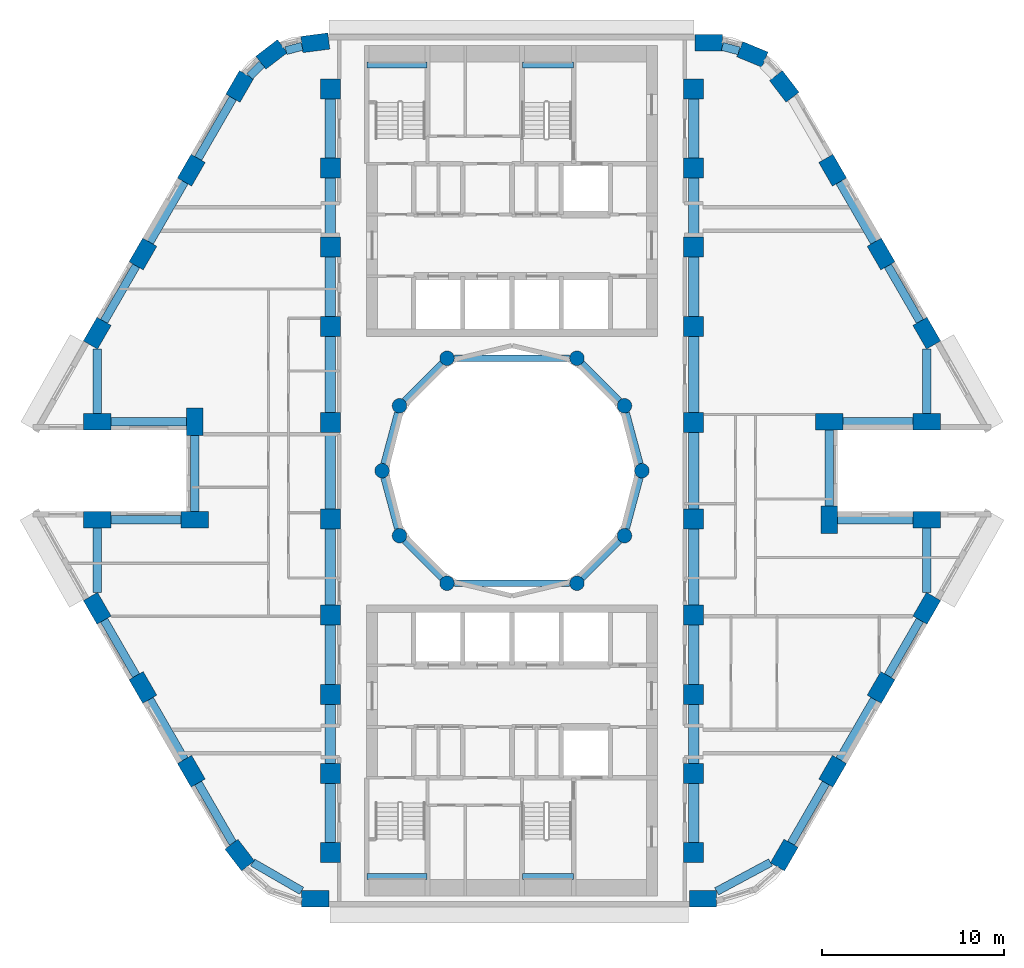
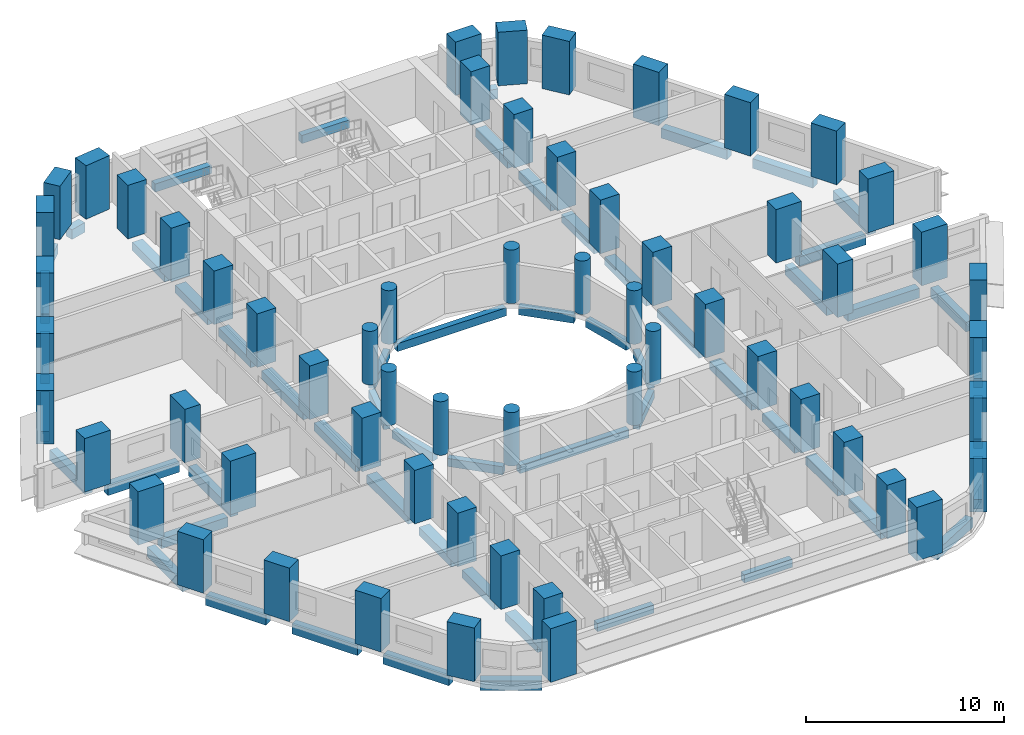
# One storey, part 1 of 12: 60 columns, 58 beams.
"""IFC4 building model written with IfcOpenShell, lengths in metres."""

from ifc_helpers import new_model, si_unit, direction, frame, origin, origin_2d, place, context, subcontext, project, spatial, rectangle, circle, extrude, material, material_profile, profile_set, type_object, element, save


model = new_model("IFC4")

# Units and contexts
model_context = context("Model", 3, precision=1e-05, world=origin(), true_north=direction((0.0, 1.0)))
body_context = subcontext(model_context, "Body", "Model", "MODEL_VIEW")
ifc_project = project(units=[si_unit("LENGTHUNIT", "METRE"), si_unit("AREAUNIT", "SQUARE_METRE"), si_unit("VOLUMEUNIT", "CUBIC_METRE"), si_unit("PLANEANGLEUNIT", "RADIAN"), si_unit("MASSUNIT", "GRAM", prefix="KILO")], contexts=[model_context])

# Site, building, storey
site_placement = place(None, origin())
site = spatial("IfcSite", under=ifc_project, at=site_placement, CompositionType="ELEMENT")
building_placement = place(site_placement, origin())
building = spatial("IfcBuilding", under=site, at=building_placement, Name="Nakaniwa Court", CompositionType="ELEMENT")
storey_placement = place(building_placement, frame((0.0, 0.0, 54.60009765625)))
storey = spatial("IfcBuildingStorey", under=building, at=storey_placement, Name="L14", CompositionType="ELEMENT", Elevation=54.60009765625)

# Columns
ifc_material_1 = material(Name="Concrete C100/115", Category="concrete")
ifc_material_profile_1 = material_profile(ifc_material_1, rectangle(XDim=1.10009765625, YDim=1.10009765625, at=origin_2d()), Name="Concrete C100/115 RC 1100x1100 spine column")
ifc_profile_set_1 = profile_set([ifc_material_profile_1], Name="Concrete C100/115")
column_type_1 = type_object("IfcColumnType", Name="Concrete C100/115 RC 1100x1100 spine column", PredefinedType="COLUMN", material=ifc_profile_set_1)
for number, where, z_axis, x_axis, name in (
    (1, (90.0, 59.0, 0.0), (0.0, 0.0, 1.0), (0.0, 1.0, 0.0), "COLUMN CS-01"),
    (2, (90.0, 63.35009765625, 0.0), (0.0, 0.0, 1.0), (0.0, 1.0, 0.0), "COLUMN CS-02"),
    (3, (90.0, 67.699951171875, 0.0), (0.0, 0.0, 1.0), (0.0, 1.0, 0.0), "COLUMN CS-03"),
    (4, (90.0, 72.050048828125, 0.0), (0.0, 0.0, 1.0), (0.0, 1.0, 0.0), "COLUMN CS-04"),
    (5, (90.0, 77.35009765625, 0.0), (0.0, 0.0, 1.0), (0.0, 1.0, 0.0), "COLUMN CS-05"),
    (6, (90.0, 82.64990234375, 0.0), (0.0, 0.0, 1.0), (0.0, 1.0, 0.0), "COLUMN CS-06"),
    (7, (90.0, 87.949951171875, 0.0), (0.0, 0.0, 1.0), (0.0, 1.0, 0.0), "COLUMN CS-07"),
    (8, (90.0, 92.300048828125, 0.0), (0.0, 0.0, 1.0), (0.0, 1.0, 0.0), "COLUMN CS-08"),
    (9, (90.0, 96.64990234375, 0.0), (0.0, 0.0, 1.0), (0.0, 1.0, 0.0), "COLUMN CS-09"),
    (10, (90.0, 101.0, 0.0), (0.0, 0.0, 1.0), (0.0, 1.0, 0.0), "COLUMN CS-10"),
    (11, (70.0, 101.0, 0.0), (0.0, 0.0, 1.0), (0.0, -1.0, 0.0), "COLUMN CS-11"),
    (12, (70.0, 96.64990234375, 0.0), (0.0, 0.0, 1.0), (0.0, -1.0, 0.0), "COLUMN CS-12"),
    (13, (70.0, 92.300048828125, 0.0), (0.0, 0.0, 1.0), (0.0, -1.0, 0.0), "COLUMN CS-13"),
    (14, (70.0, 87.949951171875, 0.0), (0.0, 0.0, 1.0), (0.0, -1.0, 0.0), "COLUMN CS-14"),
    (15, (70.0, 82.64990234375, 0.0), (0.0, 0.0, 1.0), (0.0, -1.0, 0.0), "COLUMN CS-15"),
    (16, (70.0, 77.35009765625, 0.0), (0.0, 0.0, 1.0), (0.0, -1.0, 0.0), "COLUMN CS-16"),
    (17, (70.0, 72.050048828125, 0.0), (0.0, 0.0, 1.0), (0.0, -1.0, 0.0), "COLUMN CS-17"),
    (18, (70.0, 67.699951171875, 0.0), (0.0, 0.0, 1.0), (0.0, -1.0, 0.0), "COLUMN CS-18"),
    (19, (70.0, 63.35009765625, 0.0), (0.0, 0.0, 1.0), (0.0, -1.0, 0.0), "COLUMN CS-19"),
    (20, (70.0, 59.0, 0.0), (0.0, 0.0, 1.0), (0.0, -1.0, 0.0), "COLUMN CS-20"),
):
    element("IfcColumn", number, at=place(storey_placement, frame(where, z_axis=z_axis, x_axis=x_axis)), inside=storey, type_object=column_type_1, Name=name, PredefinedType="COLUMN", context=body_context, shape_type="SweptSolid", body=[
        extrude(rectangle(XDim=1.10009765625, YDim=1.10009765625, at=origin_2d()), origin(), (0.0, 0.0, 1.0), 3.2998046875),
    ])
ifc_material_profile_2 = material_profile(ifc_material_1, rectangle(XDim=1.5, YDim=0.89990234375, at=origin_2d()), Name="Concrete C100/115 RC 1500x900 perimeter column")
ifc_profile_set_2 = profile_set([ifc_material_profile_2], Name="Concrete C100/115")
column_type_2 = type_object("IfcColumnType", Name="Concrete C100/115 RC 1500x900 perimeter column", PredefinedType="COLUMN", material=ifc_profile_set_2)
for number, where, z_axis, x_axis, name in (
    (21, (69.17529296875, 103.550048828125, 0.0), (0.0, 0.0, 1.0), (-0.991442583111, -0.130543496177, 0.0), "COLUMN CO-01"),
    (22, (66.772705078125, 102.91015625, 0.0), (0.0, 0.0, 1.0), (-0.793363965062, -0.608747582288, 0.0), "COLUMN CO-02"),
    (23, (65.017578125, 101.1494140625, 0.0), (0.0, 0.0, 1.0), (-0.5, -0.866025403784, 0.0), "COLUMN CO-03"),
    (24, (62.3544921875, 96.537109375, 0.0), (0.0, 0.0, 1.0), (-0.5, -0.866025403784, 0.0), "COLUMN CO-04"),
    (25, (59.691650390625, 91.9248046875, 0.0), (0.0, 0.0, 1.0), (-0.5, -0.866025403784, 0.0), "COLUMN CO-05"),
    (26, (57.177001953125, 87.569580078125, 0.0), (0.0, 0.0, 1.0), (-0.5, -0.866025403784, 0.0), "COLUMN CO-06"),
    (27, (57.177001953125, 82.699951171875, 0.0), (0.0, 0.0, 1.0), (1.0, 0.0, 0.0), "COLUMN CO-08"),
    (28, (62.54150390625, 82.699951171875, 0.0), (0.0, 0.0, 1.0), (0.0, -1.0, 0.0), "COLUMN CO-09"),
    (29, (62.54150390625, 77.300048828125, 0.0), (0.0, 0.0, 1.0), (-1.0, 0.0, 0.0), "COLUMN CO-10"),
    (30, (57.177001953125, 77.300048828125, 0.0), (0.0, 0.0, 1.0), (-1.0, 0.0, 0.0), "COLUMN CO-11"),
    (31, (57.177001953125, 72.430419921875, 0.0), (0.0, 0.0, 1.0), (0.5, -0.866025403784, 0.0), "COLUMN CO-13"),
    (32, (59.691650390625, 68.0751953125, 0.0), (0.0, 0.0, 1.0), (0.5, -0.866025403784, 0.0), "COLUMN CO-14"),
    (33, (62.3544921875, 63.462890625, 0.0), (0.0, 0.0, 1.0), (0.5, -0.866025403784, 0.0), "COLUMN CO-15"),
    (34, (65.017578125, 58.8505859375, 0.0), (0.0, 0.0, 1.0), (0.608761429009, -0.793353340291, 0.0), "COLUMN CO-16"),
    (35, (69.17529296875, 56.449951171875, 0.0), (0.0, 0.0, 1.0), (1.0, 0.0, 0.0), "COLUMN CO-17"),
    (36, (90.507080078125, 56.449951171875, 0.0), (0.0, 0.0, 1.0), (1.0, 0.0, 0.0), "COLUMN CO-21"),
    (37, (94.982421875, 58.8505859375, 0.0), (0.0, 0.0, 1.0), (0.5, 0.866025403784, 0.0), "COLUMN CO-22"),
    (38, (97.6455078125, 63.462890625, 0.0), (0.0, 0.0, 1.0), (0.5, 0.866025403784, 0.0), "COLUMN CO-23"),
    (39, (100.308349609375, 68.0751953125, 0.0), (0.0, 0.0, 1.0), (0.5, 0.866025403784, 0.0), "COLUMN CO-24"),
    (40, (102.822998046875, 72.430419921875, 0.0), (0.0, 0.0, 1.0), (0.5, 0.866025403784, 0.0), "COLUMN CO-25"),
    (41, (102.822998046875, 77.300048828125, 0.0), (0.0, 0.0, 1.0), (-1.0, 0.0, 0.0), "COLUMN CO-27"),
    (42, (97.45849609375, 77.300048828125, 0.0), (0.0, 0.0, 1.0), (0.0, 1.0, 0.0), "COLUMN CO-28"),
    (43, (97.45849609375, 82.699951171875, 0.0), (0.0, 0.0, 1.0), (1.0, 0.0, 0.0), "COLUMN CO-29"),
    (44, (102.822998046875, 82.699951171875, 0.0), (0.0, 0.0, 1.0), (1.0, 0.0, 0.0), "COLUMN CO-30"),
    (45, (102.822998046875, 87.569580078125, 0.0), (0.0, 0.0, 1.0), (-0.5, 0.866025403784, 0.0), "COLUMN CO-32"),
    (46, (100.308349609375, 91.9248046875, 0.0), (0.0, 0.0, 1.0), (-0.5, 0.866025403784, 0.0), "COLUMN CO-33"),
    (47, (97.6455078125, 96.537109375, 0.0), (0.0, 0.0, 1.0), (-0.5, 0.866025403784, 0.0), "COLUMN CO-34"),
    (48, (94.982421875, 101.1494140625, 0.0), (0.0, 0.0, 1.0), (-0.608761429009, 0.793353340291, 0.0), "COLUMN CO-35"),
    (49, (93.227294921875, 102.91015625, 0.0), (0.0, 0.0, 1.0), (-0.923879532511, 0.382683432365, 0.0), "COLUMN CO-36"),
    (50, (90.82470703125, 103.550048828125, 0.0), (0.0, 0.0, 1.0), (-1.0, 0.0, 0.0), "COLUMN CO-37"),
):
    element("IfcColumn", number, at=place(storey_placement, frame(where, z_axis=z_axis, x_axis=x_axis)), inside=storey, type_object=column_type_2, Name=name, PredefinedType="COLUMN", context=body_context, shape_type="SweptSolid", body=[
        extrude(rectangle(XDim=1.5, YDim=0.89990234375, at=origin_2d()), origin(), (0.0, 0.0, 1.0), 3.2998046875),
    ])
ifc_material_profile_3 = material_profile(ifc_material_1, circle(Radius=0.39990234375, at=origin_2d()), Name="Concrete C100/115 RC D800 inner ring column")
ifc_profile_set_3 = profile_set([ifc_material_profile_3], Name="Concrete C100/115")
column_type_3 = type_object("IfcColumnType", Name="Concrete C100/115 RC D800 inner ring column", PredefinedType="COLUMN", material=ifc_profile_set_3)
for number, where, z_axis, x_axis, name in (
    (51, (87.14990234375, 80.0, 0.0), (0.0, 0.0, 1.0), (0.0, 1.0, 0.0), "COLUMN CI-01"),
    (52, (86.192138671875, 83.574951171875, 0.0), (0.0, 0.0, 1.0), (-0.5, 0.866025403784, 0.0), "COLUMN CI-02"),
    (53, (83.574951171875, 86.192138671875, 0.0), (0.0, 0.0, 1.0), (-0.866025403784, 0.5, 0.0), "COLUMN CI-03"),
    (54, (76.425048828125, 86.192138671875, 0.0), (0.0, 0.0, 1.0), (-0.866025403784, -0.5, 0.0), "COLUMN CI-05"),
    (55, (73.807861328125, 83.574951171875, 0.0), (0.0, 0.0, 1.0), (-0.5, -0.866025403784, 0.0), "COLUMN CI-06"),
    (56, (72.85009765625, 80.0, 0.0), (0.0, 0.0, 1.0), (0.0, -1.0, 0.0), "COLUMN CI-07"),
    (57, (73.807861328125, 76.425048828125, 0.0), (0.0, 0.0, 1.0), (0.5, -0.866025403784, 0.0), "COLUMN CI-08"),
    (58, (76.425048828125, 73.807861328125, 0.0), (0.0, 0.0, 1.0), (0.866025403784, -0.5, 0.0), "COLUMN CI-09"),
    (59, (83.574951171875, 73.807861328125, 0.0), (0.0, 0.0, 1.0), (0.866025403784, 0.5, 0.0), "COLUMN CI-11"),
    (60, (86.192138671875, 76.425048828125, 0.0), (0.0, 0.0, 1.0), (0.5, 0.866025403784, 0.0), "COLUMN CI-12"),
):
    element("IfcColumn", number, at=place(storey_placement, frame(where, z_axis=z_axis, x_axis=x_axis)), inside=storey, type_object=column_type_3, Name=name, PredefinedType="COLUMN", context=body_context, shape_type="SweptSolid", body=[
        extrude(circle(Radius=0.39990234375, at=origin_2d()), origin(), (0.0, 0.0, 1.0), 3.2998046875),
    ])

# Beams
ifc_material_profile_4 = material_profile(ifc_material_1, rectangle(XDim=0.35009765625, YDim=0.5, at=origin_2d()), Name="Concrete C100/115 RC 350x500 ring beam")
ifc_profile_set_4 = profile_set([ifc_material_profile_4], Name="Concrete C100/115")
beam_type_1 = type_object("IfcBeamType", Name="Concrete C100/115 RC 350x500 ring beam", PredefinedType="BEAM", material=ifc_profile_set_4)
beam_1_placement = place(storey_placement, frame((87.04638671875, 80.386474609375, -0.525146484375), z_axis=(-0.258778150207, 0.965936783115, 0.0), x_axis=(-0.965936783115, -0.258778150207, 0.0)))
element("IfcBeam", 61, at=beam_1_placement, inside=storey, type_object=beam_type_1, Name="RING BEAM", PredefinedType="BEAM", context=body_context, shape_type="SweptSolid", body=[
    extrude(rectangle(XDim=0.35009765625, YDim=0.5, at=origin_2d()), origin(), (0.0, 0.0, 1.0), 2.901123046875),
])
beam_2_placement = place(storey_placement, frame((85.9091796875, 83.85791015625, -0.525146484375), z_axis=(-0.707106781187, 0.707106781187, 0.0), x_axis=(-0.707106781187, -0.707106781187, 0.0)))
element("IfcBeam", 62, at=beam_2_placement, inside=storey, type_object=beam_type_1, Name="RING BEAM", PredefinedType="BEAM", context=body_context, shape_type="SweptSolid", body=[
    extrude(rectangle(XDim=0.35009765625, YDim=0.5, at=origin_2d()), origin(), (0.0, 0.0, 1.0), 2.90087890625),
])
beam_3_placement = place(storey_placement, frame((83.175048828125, 86.192138671875, -0.525146484375), z_axis=(-1.0, 0.0, 0.0), x_axis=(0.0, -1.0, 0.0)))
element("IfcBeam", 63, at=beam_3_placement, inside=storey, type_object=beam_type_1, Name="RING BEAM", PredefinedType="BEAM", context=body_context, shape_type="SweptSolid", body=[
    extrude(rectangle(XDim=0.35009765625, YDim=0.5, at=origin_2d()), origin(), (0.0, 0.0, 1.0), 6.35009765625),
])
beam_4_placement = place(storey_placement, frame((76.14208984375, 85.9091796875, -0.525146484375), z_axis=(-0.707106781187, -0.707106781187, 0.0), x_axis=(0.707106781187, -0.707106781187, 0.0)))
element("IfcBeam", 64, at=beam_4_placement, inside=storey, type_object=beam_type_1, Name="RING BEAM", PredefinedType="BEAM", context=body_context, shape_type="SweptSolid", body=[
    extrude(rectangle(XDim=0.35009765625, YDim=0.5, at=origin_2d()), origin(), (0.0, 0.0, 1.0), 2.90087890625),
])
for number, where, z_axis, x_axis, name in (
    (65, (73.704345703125, 83.188720703125, -0.525146484375), (-0.258778150207, -0.965936783115, 0.0), (0.965936783115, -0.258778150207, 0.0), "RING BEAM"),
    (66, (72.95361328125, 79.613525390625, -0.525146484375), (0.258778150207, -0.965936783115, 0.0), (0.965936783115, 0.258778150207, 0.0), "RING BEAM"),
):
    element("IfcBeam", number, at=place(storey_placement, frame(where, z_axis=z_axis, x_axis=x_axis)), inside=storey, type_object=beam_type_1, Name=name, PredefinedType="BEAM", context=body_context, shape_type="SweptSolid", body=[
        extrude(rectangle(XDim=0.35009765625, YDim=0.5, at=origin_2d()), origin(), (0.0, 0.0, 1.0), 2.901123046875),
    ])
beam_5_placement = place(storey_placement, frame((74.0908203125, 76.14208984375, -0.525146484375), z_axis=(0.707106781187, -0.707106781187, 0.0), x_axis=(0.707106781187, 0.707106781187, 0.0)))
element("IfcBeam", 67, at=beam_5_placement, inside=storey, type_object=beam_type_1, Name="RING BEAM", PredefinedType="BEAM", context=body_context, shape_type="SweptSolid", body=[
    extrude(rectangle(XDim=0.35009765625, YDim=0.5, at=origin_2d()), origin(), (0.0, 0.0, 1.0), 2.90087890625),
])
beam_6_placement = place(storey_placement, frame((76.824951171875, 73.807861328125, -0.525146484375), z_axis=(1.0, 0.0, 0.0), x_axis=(0.0, 1.0, 0.0)))
element("IfcBeam", 68, at=beam_6_placement, inside=storey, type_object=beam_type_1, Name="RING BEAM", PredefinedType="BEAM", context=body_context, shape_type="SweptSolid", body=[
    extrude(rectangle(XDim=0.35009765625, YDim=0.5, at=origin_2d()), origin(), (0.0, 0.0, 1.0), 6.35009765625),
])
beam_7_placement = place(storey_placement, frame((83.85791015625, 74.0908203125, -0.525146484375), z_axis=(0.707106781187, 0.707106781187, 0.0), x_axis=(-0.707106781187, 0.707106781187, 0.0)))
element("IfcBeam", 69, at=beam_7_placement, inside=storey, type_object=beam_type_1, Name="RING BEAM", PredefinedType="BEAM", context=body_context, shape_type="SweptSolid", body=[
    extrude(rectangle(XDim=0.35009765625, YDim=0.5, at=origin_2d()), origin(), (0.0, 0.0, 1.0), 2.90087890625),
])
beam_8_placement = place(storey_placement, frame((86.295654296875, 76.811279296875, -0.525146484375), z_axis=(0.258778150207, 0.965936783115, 0.0), x_axis=(-0.965936783115, 0.258778150207, 0.0)))
element("IfcBeam", 70, at=beam_8_placement, inside=storey, type_object=beam_type_1, Name="RING BEAM", PredefinedType="BEAM", context=body_context, shape_type="SweptSolid", body=[
    extrude(rectangle(XDim=0.35009765625, YDim=0.5, at=origin_2d()), origin(), (0.0, 0.0, 1.0), 2.901123046875),
])
ifc_material_profile_5 = material_profile(ifc_material_1, rectangle(XDim=0.449951171875, YDim=0.60009765625, at=origin_2d()), Name="Concrete C100/115 RC 450x600 spandrel beam")
ifc_profile_set_5 = profile_set([ifc_material_profile_5], Name="Concrete C100/115")
beam_type_2 = type_object("IfcBeamType", Name="Concrete C100/115 RC 450x600 spandrel beam", PredefinedType="BEAM", material=ifc_profile_set_5)
beam_9_placement = place(storey_placement, frame((68.444580078125, 103.35546875, -0.5751953125), z_axis=(-0.966287893493, -0.25746399144, 0.0), x_axis=(0.25746399144, -0.966287893493, 0.0)))
element("IfcBeam", 71, at=beam_9_placement, inside=storey, type_object=beam_type_2, Name="SPANDREL BEAM", PredefinedType="BEAM", context=body_context, shape_type="SweptSolid", body=[
    extrude(rectangle(XDim=0.449951171875, YDim=0.60009765625, at=origin_2d()), origin(), (0.0, 0.0, 1.0), 0.91796875),
])
beam_10_placement = place(storey_placement, frame((66.238525390625, 102.374267578125, -0.5751953125), z_axis=(-0.706081618928, -0.708130459317, 0.0), x_axis=(0.708130459317, -0.706081618928, 0.0)))
element("IfcBeam", 72, at=beam_10_placement, inside=storey, type_object=beam_type_2, Name="SPANDREL BEAM", PredefinedType="BEAM", context=body_context, shape_type="SweptSolid", body=[
    extrude(rectangle(XDim=0.449951171875, YDim=0.60009765625, at=origin_2d()), origin(), (0.0, 0.0, 1.0), 0.953369140625),
])
beam_11_placement = place(storey_placement, frame((64.642578125, 100.5, -0.5751953125), z_axis=(-0.500009674092, -0.866019818373, 0.0), x_axis=(0.866019818373, -0.500009674092, 0.0)))
element("IfcBeam", 73, at=beam_11_placement, inside=storey, type_object=beam_type_2, Name="SPANDREL BEAM", PredefinedType="BEAM", context=body_context, shape_type="SweptSolid", body=[
    extrude(rectangle(XDim=0.449951171875, YDim=0.60009765625, at=origin_2d()), origin(), (0.0, 0.0, 1.0), 3.826171875),
])
beam_12_placement = place(storey_placement, frame((61.9794921875, 95.8876953125, -0.5751953125), z_axis=(-0.499961815444, -0.866047448526, 0.0), x_axis=(0.866047448526, -0.499961815444, 0.0)))
element("IfcBeam", 74, at=beam_12_placement, inside=storey, type_object=beam_type_2, Name="SPANDREL BEAM", PredefinedType="BEAM", context=body_context, shape_type="SweptSolid", body=[
    extrude(rectangle(XDim=0.449951171875, YDim=0.60009765625, at=origin_2d()), origin(), (0.0, 0.0, 1.0), 3.825927734375),
])
beam_13_placement = place(storey_placement, frame((59.316650390625, 91.275146484375, -0.5751953125), z_axis=(-0.500067800301, -0.865986255723, 0.0), x_axis=(0.865986255723, -0.500067800301, 0.0)))
element("IfcBeam", 75, at=beam_13_placement, inside=storey, type_object=beam_type_2, Name="SPANDREL BEAM", PredefinedType="BEAM", context=body_context, shape_type="SweptSolid", body=[
    extrude(rectangle(XDim=0.449951171875, YDim=0.60009765625, at=origin_2d()), origin(), (0.0, 0.0, 1.0), 3.52880859375),
])
beam_14_placement = place(storey_placement, frame((57.177001953125, 86.70361328125, -0.5751953125), z_axis=(0.0, -1.0, 0.0), x_axis=(1.0, 0.0, 0.0)))
element("IfcBeam", 76, at=beam_14_placement, inside=storey, type_object=beam_type_2, Name="SPANDREL BEAM", PredefinedType="BEAM", context=body_context, shape_type="SweptSolid", body=[
    extrude(rectangle(XDim=0.449951171875, YDim=0.60009765625, at=origin_2d()), origin(), (0.0, 0.0, 1.0), 3.5537109375),
])
beam_15_placement = place(storey_placement, frame((57.927001953125, 82.699951171875, -0.5751953125), z_axis=(1.0, 0.0, 0.0), x_axis=(0.0, 1.0, 0.0)))
element("IfcBeam", 77, at=beam_15_placement, inside=storey, type_object=beam_type_2, Name="SPANDREL BEAM", PredefinedType="BEAM", context=body_context, shape_type="SweptSolid", body=[
    extrude(rectangle(XDim=0.449951171875, YDim=0.60009765625, at=origin_2d()), origin(), (0.0, 0.0, 1.0), 4.16455078125),
])
beam_16_placement = place(storey_placement, frame((62.54150390625, 81.949951171875, -0.5751953125), z_axis=(0.0, -1.0, 0.0), x_axis=(1.0, 0.0, 0.0)))
element("IfcBeam", 78, at=beam_16_placement, inside=storey, type_object=beam_type_2, Name="SPANDREL BEAM", PredefinedType="BEAM", context=body_context, shape_type="SweptSolid", body=[
    extrude(rectangle(XDim=0.449951171875, YDim=0.60009765625, at=origin_2d()), origin(), (0.0, 0.0, 1.0), 4.199951171875),
])
beam_17_placement = place(storey_placement, frame((61.79150390625, 77.300048828125, -0.5751953125), z_axis=(-1.0, 0.0, 0.0), x_axis=(0.0, -1.0, 0.0)))
element("IfcBeam", 79, at=beam_17_placement, inside=storey, type_object=beam_type_2, Name="SPANDREL BEAM", PredefinedType="BEAM", context=body_context, shape_type="SweptSolid", body=[
    extrude(rectangle(XDim=0.449951171875, YDim=0.60009765625, at=origin_2d()), origin(), (0.0, 0.0, 1.0), 3.864501953125),
])
beam_18_placement = place(storey_placement, frame((57.177001953125, 76.85009765625, -0.5751953125), z_axis=(0.0, -1.0, 0.0), x_axis=(1.0, 0.0, 0.0)))
element("IfcBeam", 80, at=beam_18_placement, inside=storey, type_object=beam_type_2, Name="SPANDREL BEAM", PredefinedType="BEAM", context=body_context, shape_type="SweptSolid", body=[
    extrude(rectangle(XDim=0.449951171875, YDim=0.60009765625, at=origin_2d()), origin(), (0.0, 0.0, 1.0), 3.5537109375),
])
beam_19_placement = place(storey_placement, frame((57.552001953125, 71.78076171875, -0.5751953125), z_axis=(0.500067800301, -0.865986255723, 0.0), x_axis=(0.865986255723, 0.500067800301, 0.0)))
element("IfcBeam", 81, at=beam_19_placement, inside=storey, type_object=beam_type_2, Name="SPANDREL BEAM", PredefinedType="BEAM", context=body_context, shape_type="SweptSolid", body=[
    extrude(rectangle(XDim=0.449951171875, YDim=0.60009765625, at=origin_2d()), origin(), (0.0, 0.0, 1.0), 3.52880859375),
])
beam_20_placement = place(storey_placement, frame((60.066650390625, 67.42578125, -0.5751953125), z_axis=(0.499961815444, -0.866047448526, 0.0), x_axis=(0.866047448526, 0.499961815444, 0.0)))
element("IfcBeam", 82, at=beam_20_placement, inside=storey, type_object=beam_type_2, Name="SPANDREL BEAM", PredefinedType="BEAM", context=body_context, shape_type="SweptSolid", body=[
    extrude(rectangle(XDim=0.449951171875, YDim=0.60009765625, at=origin_2d()), origin(), (0.0, 0.0, 1.0), 3.825927734375),
])
beam_21_placement = place(storey_placement, frame((62.7294921875, 62.8134765625, -0.5751953125), z_axis=(0.500023067617, -0.86601208528, 0.0), x_axis=(0.86601208528, 0.500023067617, 0.0)))
element("IfcBeam", 83, at=beam_21_placement, inside=storey, type_object=beam_type_2, Name="SPANDREL BEAM", PredefinedType="BEAM", context=body_context, shape_type="SweptSolid", body=[
    extrude(rectangle(XDim=0.449951171875, YDim=0.60009765625, at=origin_2d()), origin(), (0.0, 0.0, 1.0), 3.819580078125),
])
beam_22_placement = place(storey_placement, frame((65.720458984375, 58.444580078125, -0.5751953125), z_axis=(0.866041096587, -0.499972818284, 0.0), x_axis=(0.499972818284, 0.866041096587, 0.0)))
element("IfcBeam", 84, at=beam_22_placement, inside=storey, type_object=beam_type_2, Name="SPANDREL BEAM", PredefinedType="BEAM", context=body_context, shape_type="SweptSolid", body=[
    extrude(rectangle(XDim=0.449951171875, YDim=0.60009765625, at=origin_2d()), origin(), (0.0, 0.0, 1.0), 3.123291015625),
])
beam_23_placement = place(storey_placement, frame((91.257080078125, 56.852294921875, -0.5751953125), z_axis=(0.881234537383, 0.472679267711, 0.0), x_axis=(-0.472679267711, 0.881234537383, 0.0)))
element("IfcBeam", 85, at=beam_23_placement, inside=storey, type_object=beam_type_2, Name="SPANDREL BEAM", PredefinedType="BEAM", context=body_context, shape_type="SweptSolid", body=[
    extrude(rectangle(XDim=0.449951171875, YDim=0.60009765625, at=origin_2d()), origin(), (0.0, 0.0, 1.0), 3.373291015625),
])
beam_24_placement = place(storey_placement, frame((95.357421875, 59.5, -0.5751953125), z_axis=(0.500009674092, 0.866019818373, 0.0), x_axis=(-0.866019818373, 0.500009674092, 0.0)))
element("IfcBeam", 86, at=beam_24_placement, inside=storey, type_object=beam_type_2, Name="SPANDREL BEAM", PredefinedType="BEAM", context=body_context, shape_type="SweptSolid", body=[
    extrude(rectangle(XDim=0.449951171875, YDim=0.60009765625, at=origin_2d()), origin(), (0.0, 0.0, 1.0), 3.826171875),
])
beam_25_placement = place(storey_placement, frame((98.0205078125, 64.1123046875, -0.5751953125), z_axis=(0.499961815444, 0.866047448526, 0.0), x_axis=(-0.866047448526, 0.499961815444, 0.0)))
element("IfcBeam", 87, at=beam_25_placement, inside=storey, type_object=beam_type_2, Name="SPANDREL BEAM", PredefinedType="BEAM", context=body_context, shape_type="SweptSolid", body=[
    extrude(rectangle(XDim=0.449951171875, YDim=0.60009765625, at=origin_2d()), origin(), (0.0, 0.0, 1.0), 3.825927734375),
])
beam_26_placement = place(storey_placement, frame((100.683349609375, 68.724853515625, -0.5751953125), z_axis=(0.500067800301, 0.865986255723, 0.0), x_axis=(-0.865986255723, 0.500067800301, 0.0)))
element("IfcBeam", 88, at=beam_26_placement, inside=storey, type_object=beam_type_2, Name="SPANDREL BEAM", PredefinedType="BEAM", context=body_context, shape_type="SweptSolid", body=[
    extrude(rectangle(XDim=0.449951171875, YDim=0.60009765625, at=origin_2d()), origin(), (0.0, 0.0, 1.0), 3.52880859375),
])
beam_27_placement = place(storey_placement, frame((102.822998046875, 73.29638671875, -0.5751953125), z_axis=(0.0, 1.0, 0.0), x_axis=(-1.0, 0.0, 0.0)))
element("IfcBeam", 89, at=beam_27_placement, inside=storey, type_object=beam_type_2, Name="SPANDREL BEAM", PredefinedType="BEAM", context=body_context, shape_type="SweptSolid", body=[
    extrude(rectangle(XDim=0.449951171875, YDim=0.60009765625, at=origin_2d()), origin(), (0.0, 0.0, 1.0), 3.5537109375),
])
beam_28_placement = place(storey_placement, frame((102.072998046875, 77.300048828125, -0.5751953125), z_axis=(-1.0, 0.0, 0.0), x_axis=(0.0, -1.0, 0.0)))
element("IfcBeam", 90, at=beam_28_placement, inside=storey, type_object=beam_type_2, Name="SPANDREL BEAM", PredefinedType="BEAM", context=body_context, shape_type="SweptSolid", body=[
    extrude(rectangle(XDim=0.449951171875, YDim=0.60009765625, at=origin_2d()), origin(), (0.0, 0.0, 1.0), 4.16455078125),
])
beam_29_placement = place(storey_placement, frame((97.45849609375, 78.050048828125, -0.5751953125), z_axis=(0.0, 1.0, 0.0), x_axis=(-1.0, 0.0, 0.0)))
element("IfcBeam", 91, at=beam_29_placement, inside=storey, type_object=beam_type_2, Name="SPANDREL BEAM", PredefinedType="BEAM", context=body_context, shape_type="SweptSolid", body=[
    extrude(rectangle(XDim=0.449951171875, YDim=0.60009765625, at=origin_2d()), origin(), (0.0, 0.0, 1.0), 4.199951171875),
])
beam_30_placement = place(storey_placement, frame((98.20849609375, 82.699951171875, -0.5751953125), z_axis=(1.0, 0.0, 0.0), x_axis=(0.0, 1.0, 0.0)))
element("IfcBeam", 92, at=beam_30_placement, inside=storey, type_object=beam_type_2, Name="SPANDREL BEAM", PredefinedType="BEAM", context=body_context, shape_type="SweptSolid", body=[
    extrude(rectangle(XDim=0.449951171875, YDim=0.60009765625, at=origin_2d()), origin(), (0.0, 0.0, 1.0), 3.864501953125),
])
beam_31_placement = place(storey_placement, frame((102.822998046875, 83.14990234375, -0.5751953125), z_axis=(0.0, 1.0, 0.0), x_axis=(-1.0, 0.0, 0.0)))
element("IfcBeam", 93, at=beam_31_placement, inside=storey, type_object=beam_type_2, Name="SPANDREL BEAM", PredefinedType="BEAM", context=body_context, shape_type="SweptSolid", body=[
    extrude(rectangle(XDim=0.449951171875, YDim=0.60009765625, at=origin_2d()), origin(), (0.0, 0.0, 1.0), 3.5537109375),
])
beam_32_placement = place(storey_placement, frame((102.447998046875, 88.21923828125, -0.5751953125), z_axis=(-0.500067800301, 0.865986255723, 0.0), x_axis=(-0.865986255723, -0.500067800301, 0.0)))
element("IfcBeam", 94, at=beam_32_placement, inside=storey, type_object=beam_type_2, Name="SPANDREL BEAM", PredefinedType="BEAM", context=body_context, shape_type="SweptSolid", body=[
    extrude(rectangle(XDim=0.449951171875, YDim=0.60009765625, at=origin_2d()), origin(), (0.0, 0.0, 1.0), 3.52880859375),
])
beam_33_placement = place(storey_placement, frame((99.933349609375, 92.57421875, -0.5751953125), z_axis=(-0.499961815444, 0.866047448526, 0.0), x_axis=(-0.866047448526, -0.499961815444, 0.0)))
element("IfcBeam", 95, at=beam_33_placement, inside=storey, type_object=beam_type_2, Name="SPANDREL BEAM", PredefinedType="BEAM", context=body_context, shape_type="SweptSolid", body=[
    extrude(rectangle(XDim=0.449951171875, YDim=0.60009765625, at=origin_2d()), origin(), (0.0, 0.0, 1.0), 3.825927734375),
])
beam_34_placement = place(storey_placement, frame((92.49609375, 103.10498046875, -0.5751953125), z_axis=(-0.966324126494, 0.257327966912, 0.0), x_axis=(-0.257327966912, -0.966324126494, 0.0)))
element("IfcBeam", 96, at=beam_34_placement, inside=storey, type_object=beam_type_2, Name="SPANDREL BEAM", PredefinedType="BEAM", context=body_context, shape_type="SweptSolid", body=[
    extrude(rectangle(XDim=0.449951171875, YDim=0.60009765625, at=origin_2d()), origin(), (0.0, 0.0, 1.0), 0.95361328125),
])
ifc_material_profile_6 = material_profile(ifc_material_1, rectangle(XDim=0.60009765625, YDim=0.5, at=origin_2d()), Name="Concrete C100/115 RC 600x500 ring beam")
ifc_profile_set_6 = profile_set([ifc_material_profile_6], Name="Concrete C100/115")
beam_type_3 = type_object("IfcBeamType", Name="Concrete C100/115 RC 600x500 ring beam", PredefinedType="BEAM", material=ifc_profile_set_6)
for number, where, z_axis, x_axis, name in (
    (97, (90.0, 59.550048828125, -0.525146484375), (0.0, 1.0, 0.0), (-1.0, 0.0, 0.0), "RING BEAM"),
    (98, (90.0, 63.89990234375, -0.525146484375), (0.0, 1.0, 0.0), (-1.0, 0.0, 0.0), "RING BEAM"),
    (99, (90.0, 68.25, -0.525146484375), (0.0, 1.0, 0.0), (-1.0, 0.0, 0.0), "RING BEAM"),
):
    element("IfcBeam", number, at=place(storey_placement, frame(where, z_axis=z_axis, x_axis=x_axis)), inside=storey, type_object=beam_type_3, Name=name, PredefinedType="BEAM", context=body_context, shape_type="SweptSolid", body=[
        extrude(rectangle(XDim=0.60009765625, YDim=0.5, at=origin_2d()), origin(), (0.0, 0.0, 1.0), 3.25),
    ])
beam_35_placement = place(storey_placement, frame((90.0, 72.60009765625, -0.525146484375), z_axis=(0.0, 1.0, 0.0), x_axis=(-1.0, 0.0, 0.0)))
element("IfcBeam", 100, at=beam_35_placement, inside=storey, type_object=beam_type_3, Name="RING BEAM", PredefinedType="BEAM", context=body_context, shape_type="SweptSolid", body=[
    extrude(rectangle(XDim=0.60009765625, YDim=0.5, at=origin_2d()), origin(), (0.0, 0.0, 1.0), 4.199951171875),
])
beam_36_placement = place(storey_placement, frame((90.0, 77.89990234375, -0.525146484375), z_axis=(0.0, 1.0, 0.0), x_axis=(-1.0, 0.0, 0.0)))
element("IfcBeam", 101, at=beam_36_placement, inside=storey, type_object=beam_type_3, Name="RING BEAM", PredefinedType="BEAM", context=body_context, shape_type="SweptSolid", body=[
    extrude(rectangle(XDim=0.60009765625, YDim=0.5, at=origin_2d()), origin(), (0.0, 0.0, 1.0), 4.2001953125),
])
beam_37_placement = place(storey_placement, frame((90.0, 83.199951171875, -0.525146484375), z_axis=(0.0, 1.0, 0.0), x_axis=(-1.0, 0.0, 0.0)))
element("IfcBeam", 102, at=beam_37_placement, inside=storey, type_object=beam_type_3, Name="RING BEAM", PredefinedType="BEAM", context=body_context, shape_type="SweptSolid", body=[
    extrude(rectangle(XDim=0.60009765625, YDim=0.5, at=origin_2d()), origin(), (0.0, 0.0, 1.0), 4.199951171875),
])
for number, where, z_axis, x_axis, name in (
    (103, (90.0, 88.5, -0.525146484375), (0.0, 1.0, 0.0), (-1.0, 0.0, 0.0), "RING BEAM"),
    (104, (90.0, 92.85009765625, -0.525146484375), (0.0, 1.0, 0.0), (-1.0, 0.0, 0.0), "RING BEAM"),
    (105, (90.0, 97.199951171875, -0.525146484375), (0.0, 1.0, 0.0), (-1.0, 0.0, 0.0), "RING BEAM"),
    (106, (70.0, 100.449951171875, -0.525146484375), (0.0, -1.0, 0.0), (1.0, 0.0, 0.0), "RING BEAM"),
    (107, (70.0, 96.10009765625, -0.525146484375), (0.0, -1.0, 0.0), (1.0, 0.0, 0.0), "RING BEAM"),
    (108, (70.0, 91.75, -0.525146484375), (0.0, -1.0, 0.0), (1.0, 0.0, 0.0), "RING BEAM"),
):
    element("IfcBeam", number, at=place(storey_placement, frame(where, z_axis=z_axis, x_axis=x_axis)), inside=storey, type_object=beam_type_3, Name=name, PredefinedType="BEAM", context=body_context, shape_type="SweptSolid", body=[
        extrude(rectangle(XDim=0.60009765625, YDim=0.5, at=origin_2d()), origin(), (0.0, 0.0, 1.0), 3.25),
    ])
beam_38_placement = place(storey_placement, frame((70.0, 87.39990234375, -0.525146484375), z_axis=(0.0, -1.0, 0.0), x_axis=(1.0, 0.0, 0.0)))
element("IfcBeam", 109, at=beam_38_placement, inside=storey, type_object=beam_type_3, Name="RING BEAM", PredefinedType="BEAM", context=body_context, shape_type="SweptSolid", body=[
    extrude(rectangle(XDim=0.60009765625, YDim=0.5, at=origin_2d()), origin(), (0.0, 0.0, 1.0), 4.199951171875),
])
beam_39_placement = place(storey_placement, frame((70.0, 82.10009765625, -0.525146484375), z_axis=(0.0, -1.0, 0.0), x_axis=(1.0, 0.0, 0.0)))
element("IfcBeam", 110, at=beam_39_placement, inside=storey, type_object=beam_type_3, Name="RING BEAM", PredefinedType="BEAM", context=body_context, shape_type="SweptSolid", body=[
    extrude(rectangle(XDim=0.60009765625, YDim=0.5, at=origin_2d()), origin(), (0.0, 0.0, 1.0), 4.2001953125),
])
beam_40_placement = place(storey_placement, frame((70.0, 76.800048828125, -0.525146484375), z_axis=(0.0, -1.0, 0.0), x_axis=(1.0, 0.0, 0.0)))
element("IfcBeam", 111, at=beam_40_placement, inside=storey, type_object=beam_type_3, Name="RING BEAM", PredefinedType="BEAM", context=body_context, shape_type="SweptSolid", body=[
    extrude(rectangle(XDim=0.60009765625, YDim=0.5, at=origin_2d()), origin(), (0.0, 0.0, 1.0), 4.199951171875),
])
for number, where, z_axis, x_axis, name in (
    (112, (70.0, 71.5, -0.525146484375), (0.0, -1.0, 0.0), (1.0, 0.0, 0.0), "RING BEAM"),
    (113, (70.0, 67.14990234375, -0.525146484375), (0.0, -1.0, 0.0), (1.0, 0.0, 0.0), "RING BEAM"),
    (114, (70.0, 62.800048828125, -0.525146484375), (0.0, -1.0, 0.0), (1.0, 0.0, 0.0), "RING BEAM"),
):
    element("IfcBeam", number, at=place(storey_placement, frame(where, z_axis=z_axis, x_axis=x_axis)), inside=storey, type_object=beam_type_3, Name=name, PredefinedType="BEAM", context=body_context, shape_type="SweptSolid", body=[
        extrude(rectangle(XDim=0.60009765625, YDim=0.5, at=origin_2d()), origin(), (0.0, 0.0, 1.0), 3.25),
    ])
ifc_material_2 = material(Name="Concrete C80/100", Category="concrete")
ifc_material_profile_7 = material_profile(ifc_material_2, rectangle(XDim=0.35009765625, YDim=0.5, at=origin_2d()), Name="Concrete C80/100 RC 350x500 landing ledge beam")
ifc_profile_set_7 = profile_set([ifc_material_profile_7], Name="Concrete C80/100")
beam_type_4 = type_object("IfcBeamType", Name="Concrete C80/100 RC 350x500 landing ledge beam", PredefinedType="BEAM", material=ifc_profile_set_7)
beam_41_placement = place(storey_placement, frame((72.02490234375, 102.324951171875, 1.199951171875), z_axis=(1.0, 0.0, 0.0), x_axis=(0.0, 1.0, 0.0)))
element("IfcBeam", 115, at=beam_41_placement, inside=storey, type_object=beam_type_4, Name="LANDING LEDGE BEAM", PredefinedType="BEAM", context=body_context, shape_type="SweptSolid", body=[
    extrude(rectangle(XDim=0.35009765625, YDim=0.5, at=origin_2d()), origin(), (0.0, 0.0, 1.0), 3.300048828125),
])
beam_42_placement = place(storey_placement, frame((80.574951171875, 102.324951171875, 1.199951171875), z_axis=(1.0, 0.0, 0.0), x_axis=(0.0, 1.0, 0.0)))
element("IfcBeam", 116, at=beam_42_placement, inside=storey, type_object=beam_type_4, Name="LANDING LEDGE BEAM", PredefinedType="BEAM", context=body_context, shape_type="SweptSolid", body=[
    extrude(rectangle(XDim=0.35009765625, YDim=0.5, at=origin_2d()), origin(), (0.0, 0.0, 1.0), 2.800048828125),
])
beam_43_placement = place(storey_placement, frame((72.02490234375, 57.675048828125, 1.199951171875), z_axis=(1.0, 0.0, 0.0), x_axis=(0.0, 1.0, 0.0)))
element("IfcBeam", 117, at=beam_43_placement, inside=storey, type_object=beam_type_4, Name="LANDING LEDGE BEAM", PredefinedType="BEAM", context=body_context, shape_type="SweptSolid", body=[
    extrude(rectangle(XDim=0.35009765625, YDim=0.5, at=origin_2d()), origin(), (0.0, 0.0, 1.0), 3.300048828125),
])
beam_44_placement = place(storey_placement, frame((80.574951171875, 57.675048828125, 1.199951171875), z_axis=(1.0, 0.0, 0.0), x_axis=(0.0, 1.0, 0.0)))
element("IfcBeam", 118, at=beam_44_placement, inside=storey, type_object=beam_type_4, Name="LANDING LEDGE BEAM", PredefinedType="BEAM", context=body_context, shape_type="SweptSolid", body=[
    extrude(rectangle(XDim=0.35009765625, YDim=0.5, at=origin_2d()), origin(), (0.0, 0.0, 1.0), 2.800048828125),
])

save(model, "model.ifc")
